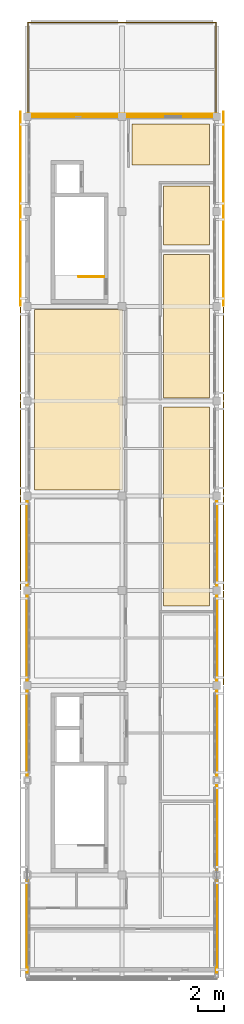
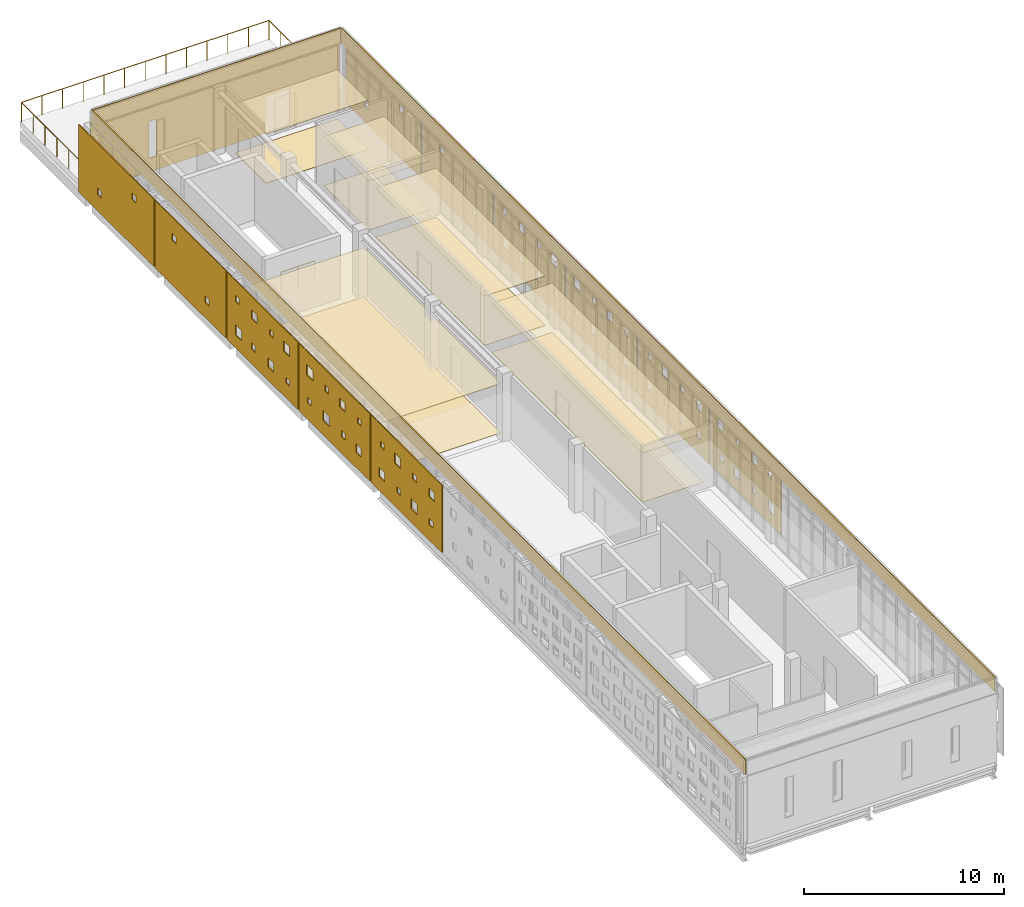
# One storey, part 19 of 19: 25 coverings, 2 railings.
"""IFC4 building model written with IfcOpenShell, lengths in metres."""

from ifc_helpers import new_model, si_unit, direction, frame, origin, origin_2d, place, context, subcontext, project, spatial, polyline, circle, outline, extrude, material, layer, layer_set, type_object, element, save


model = new_model("IFC4")

# Units and contexts
model_context = context("Model", 3, precision=1e-05, world=origin(), true_north=direction((0.0, 1.0)))
body_context = subcontext(model_context, "Body", "Model", "MODEL_VIEW")
ifc_project = project(units=[si_unit("LENGTHUNIT", "METRE"), si_unit("AREAUNIT", "SQUARE_METRE"), si_unit("VOLUMEUNIT", "CUBIC_METRE"), si_unit("PLANEANGLEUNIT", "RADIAN"), si_unit("MASSUNIT", "GRAM", prefix="KILO")], contexts=[model_context])

# Site, building, storey
site_placement = place(None, origin())
site = spatial("IfcSite", under=ifc_project, at=site_placement, CompositionType="ELEMENT")
building_placement = place(site_placement, origin())
building = spatial("IfcBuilding", under=site, at=building_placement, Name="Valkovuoma Quantum and Materials Research Institute", CompositionType="ELEMENT")
storey_placement = place(building_placement, frame((0.0, 0.0, 38.080078125)))
storey = spatial("IfcBuildingStorey", under=building, at=storey_placement, Name="L09", CompositionType="ELEMENT", Elevation=38.080078125)

# Coverings
ifc_material_1 = material(Name="Cleanable acoustic mineral-fibre suspended ceiling", Category="masonry")
ifc_layer_1 = layer(ifc_material_1, 0.02490234375)
ifc_layer_set_1 = layer_set([ifc_layer_1], Name="Cleanable acoustic mineral-fibre suspended ceiling")
covering_type_1 = type_object("IfcCoveringType", Name="Cov-CEIL-01", PredefinedType="CEILING", material=ifc_layer_set_1)
covering_1_placement = place(storey_placement, frame((0.0, 0.0, 3.0)))
element("IfcCovering", 1, at=covering_1_placement, inside=storey, type_object=covering_type_1, Name="L09 acoustic ceiling 0166", PredefinedType="CEILING", context=body_context, shape_type="SweptSolid", body=[
    extrude(outline(polyline([(0.550048828125, 58.050048828125), (7.25, 58.050048828125), (7.25, 71.75), (0.550048828125, 71.75), (0.550048828125, 58.050048828125)])), origin(), (0.0, 0.0, 1.0), 0.02490234375),
])
covering_2_placement = place(storey_placement, frame((0.0, 0.0, 3.0)))
element("IfcCovering", 2, at=covering_2_placement, inside=storey, type_object=covering_type_1, Name="L09 acoustic ceiling 0167", PredefinedType="CEILING", context=body_context, shape_type="SweptSolid", body=[
    extrude(outline(polyline([(7.949951171875, 82.75), (13.85009765625, 82.75), (13.85009765625, 85.85009765625), (7.949951171875, 85.85009765625), (7.949951171875, 82.75)])), origin(), (0.0, 0.0, 1.0), 0.02490234375),
])
covering_3_placement = place(storey_placement, frame((0.0, 0.0, 3.0)))
element("IfcCovering", 3, at=covering_3_placement, inside=storey, type_object=covering_type_1, Name="L09 acoustic ceiling 0170", PredefinedType="CEILING", context=body_context, shape_type="SweptSolid", body=[
    extrude(outline(polyline([(10.35009765625, 49.25), (13.85009765625, 49.25), (13.85009765625, 64.35009765625), (10.35009765625, 64.35009765625), (10.35009765625, 49.25)])), origin(), (0.0, 0.0, 1.0), 0.02490234375),
])
covering_4_placement = place(storey_placement, frame((0.0, 0.0, 3.0)))
element("IfcCovering", 4, at=covering_4_placement, inside=storey, type_object=covering_type_1, Name="L09 acoustic ceiling 0171", PredefinedType="CEILING", context=body_context, shape_type="SweptSolid", body=[
    extrude(outline(polyline([(10.35009765625, 65.050048828125), (13.85009765625, 65.050048828125), (13.85009765625, 75.949951171875), (10.35009765625, 75.949951171875), (10.35009765625, 65.050048828125)])), origin(), (0.0, 0.0, 1.0), 0.02490234375),
])
covering_5_placement = place(storey_placement, frame((0.0, 0.0, 3.0)))
element("IfcCovering", 5, at=covering_5_placement, inside=storey, type_object=covering_type_1, Name="L09 acoustic ceiling 0172", PredefinedType="CEILING", context=body_context, shape_type="SweptSolid", body=[
    extrude(outline(polyline([(10.35009765625, 76.64990234375), (13.85009765625, 76.64990234375), (13.85009765625, 81.14990234375), (10.35009765625, 81.14990234375), (10.35009765625, 76.64990234375)])), origin(), (0.0, 0.0, 1.0), 0.02490234375),
])
ifc_material_2 = material(Name="Seamless dissipative laboratory resin flooring", Category="masonry")
ifc_layer_2 = layer(ifc_material_2, 0.014892578125)
ifc_layer_set_2 = layer_set([ifc_layer_2], Name="Seamless dissipative laboratory resin flooring")
covering_type_2 = type_object("IfcCoveringType", Name="Cov-FLOR-01", PredefinedType="FLOORING", material=ifc_layer_set_2)
covering_6_placement = place(storey_placement, origin())
element("IfcCovering", 6, at=covering_6_placement, inside=storey, type_object=covering_type_2, Name="L09 resin flooring 0166", PredefinedType="FLOORING", context=body_context, shape_type="SweptSolid", body=[
    extrude(outline(polyline([(0.550048828125, 58.050048828125), (7.25, 58.050048828125), (7.25, 71.75), (0.550048828125, 71.75), (0.550048828125, 58.050048828125)])), origin(), (0.0, 0.0, 1.0), 0.014892578125),
])
covering_7_placement = place(storey_placement, origin())
element("IfcCovering", 7, at=covering_7_placement, inside=storey, type_object=covering_type_2, Name="L09 resin flooring 0167", PredefinedType="FLOORING", context=body_context, shape_type="SweptSolid", body=[
    extrude(outline(polyline([(7.949951171875, 82.75), (13.85009765625, 82.75), (13.85009765625, 85.85009765625), (7.949951171875, 85.85009765625), (7.949951171875, 82.75)])), origin(), (0.0, 0.0, 1.0), 0.014892578125),
])
covering_8_placement = place(storey_placement, origin())
element("IfcCovering", 8, at=covering_8_placement, inside=storey, type_object=covering_type_2, Name="L09 resin flooring 0170", PredefinedType="FLOORING", context=body_context, shape_type="SweptSolid", body=[
    extrude(outline(polyline([(10.35009765625, 49.25), (13.85009765625, 49.25), (13.85009765625, 64.35009765625), (10.35009765625, 64.35009765625), (10.35009765625, 49.25)])), origin(), (0.0, 0.0, 1.0), 0.014892578125),
])
covering_9_placement = place(storey_placement, origin())
element("IfcCovering", 9, at=covering_9_placement, inside=storey, type_object=covering_type_2, Name="L09 resin flooring 0171", PredefinedType="FLOORING", context=body_context, shape_type="SweptSolid", body=[
    extrude(outline(polyline([(10.35009765625, 65.050048828125), (13.85009765625, 65.050048828125), (13.85009765625, 75.949951171875), (10.35009765625, 75.949951171875), (10.35009765625, 65.050048828125)])), origin(), (0.0, 0.0, 1.0), 0.014892578125),
])
covering_10_placement = place(storey_placement, origin())
element("IfcCovering", 10, at=covering_10_placement, inside=storey, type_object=covering_type_2, Name="L09 resin flooring 0172", PredefinedType="FLOORING", context=body_context, shape_type="SweptSolid", body=[
    extrude(outline(polyline([(10.35009765625, 76.64990234375), (13.85009765625, 76.64990234375), (13.85009765625, 81.14990234375), (10.35009765625, 81.14990234375), (10.35009765625, 76.64990234375)])), origin(), (0.0, 0.0, 1.0), 0.014892578125),
])
ifc_material_3 = material(Name="White powder-coated aluminium architectural panel", Category="aluminium")
ifc_layer_3 = layer(ifc_material_3, 0.054931640625)
ifc_layer_set_3 = layer_set([ifc_layer_3], Name="White powder-coated aluminium architectural panel")
covering_type_3 = type_object("IfcCoveringType", Name="Cov-PERF-MID", PredefinedType="CLADDING", material=ifc_layer_set_3)
covering_11_placement = place(storey_placement, frame((14.919921875, 43.260009765625, 0.02001953125), z_axis=(0.0, 0.0, 1.0), x_axis=(0.0, 1.0, 0.0)))
element("IfcCovering", 11, at=covering_11_placement, inside=storey, type_object=covering_type_3, Name="L09 graduated perforated white screen E-0143", PredefinedType="CLADDING", context=body_context, shape_type="SweptSolid", body=[
    extrude(outline(polyline([(0.0, 0.0), (7.080078125, 0.0), (7.080078125, 4.119873046875), (0.0, 4.119873046875), (0.0, 0.0)]), holes=[polyline([(0.702392578125, 0.780029296875), (0.702392578125, 1.39990234375), (1.322509765625, 1.39990234375), (1.322509765625, 0.780029296875), (0.702392578125, 0.780029296875)]), polyline([(0.9423828125, 2.840087890625), (0.9423828125, 3.219970703125), (1.322509765625, 3.219970703125), (1.322509765625, 2.840087890625), (0.9423828125, 2.840087890625)]), polyline([(2.547607421875, 0.919921875), (2.547607421875, 1.260009765625), (2.887451171875, 1.260009765625), (2.887451171875, 0.919921875), (2.547607421875, 0.919921875)]), polyline([(2.347412109375, 2.719970703125), (2.347412109375, 3.340087890625), (2.967529296875, 3.340087890625), (2.967529296875, 2.719970703125), (2.347412109375, 2.719970703125)]), polyline([(4.152587890625, 0.820068359375), (4.152587890625, 1.360107421875), (4.6923828125, 1.360107421875), (4.6923828125, 0.820068359375), (4.152587890625, 0.820068359375)]), polyline([(4.1923828125, 2.860107421875), (4.1923828125, 3.199951171875), (4.532470703125, 3.199951171875), (4.532470703125, 2.860107421875), (4.1923828125, 2.860107421875)]), polyline([(5.757568359375, 0.89990234375), (5.757568359375, 1.280029296875), (6.137451171875, 1.280029296875), (6.137451171875, 0.89990234375), (5.757568359375, 0.89990234375)]), polyline([(5.797607421875, 2.760009765625), (5.797607421875, 3.300048828125), (6.33740234375, 3.300048828125), (6.33740234375, 2.760009765625), (5.797607421875, 2.760009765625)])]), frame((0.0, 0.02734375, 0.0), z_axis=(0.0, -1.0, 0.0), x_axis=(1.0, 0.0, 0.0)), (0.0, 0.0, 1.0), 0.054931640625),
])
for number, where, z_axis, x_axis, name in (
    (12, (-0.52001953125, 50.4599609375, 0.02001953125), (0.0, 0.0, 1.0), (0.0, 1.0, 0.0), "L09 graduated perforated white screen W-0144"),
    (13, (14.919921875, 50.4599609375, 0.02001953125), (0.0, 0.0, 1.0), (0.0, 1.0, 0.0), "L09 graduated perforated white screen E-0145"),
):
    element("IfcCovering", number, at=place(storey_placement, frame(where, z_axis=z_axis, x_axis=x_axis)), inside=storey, type_object=covering_type_3, Name=name, PredefinedType="CLADDING", context=body_context, shape_type="SweptSolid", body=[
        extrude(outline(polyline([(0.0, 0.0), (7.080078125, 0.0), (7.080078125, 4.119873046875), (0.0, 4.119873046875), (0.0, 0.0)]), holes=[polyline([(0.882568359375, 0.949951171875), (0.882568359375, 1.330078125), (1.262451171875, 1.330078125), (1.262451171875, 0.949951171875), (0.882568359375, 0.949951171875)]), polyline([(0.742431640625, 2.659912109375), (0.742431640625, 3.199951171875), (1.282470703125, 3.199951171875), (1.282470703125, 2.659912109375), (0.742431640625, 2.659912109375)]), polyline([(2.467529296875, 0.830078125), (2.467529296875, 1.449951171875), (3.08740234375, 1.449951171875), (3.08740234375, 0.830078125), (2.467529296875, 0.830078125)]), polyline([(2.527587890625, 2.739990234375), (2.527587890625, 3.1201171875), (2.907470703125, 3.1201171875), (2.907470703125, 2.739990234375), (2.527587890625, 2.739990234375)]), polyline([(4.132568359375, 0.969970703125), (4.132568359375, 1.31005859375), (4.472412109375, 1.31005859375), (4.472412109375, 0.969970703125), (4.132568359375, 0.969970703125)]), polyline([(4.112548828125, 2.6201171875), (4.112548828125, 3.239990234375), (4.732421875, 3.239990234375), (4.732421875, 2.6201171875), (4.112548828125, 2.6201171875)]), polyline([(5.737548828125, 0.8701171875), (5.737548828125, 1.409912109375), (6.277587890625, 1.409912109375), (6.277587890625, 0.8701171875), (5.737548828125, 0.8701171875)]), polyline([(5.777587890625, 2.760009765625), (5.777587890625, 3.10009765625), (6.117431640625, 3.10009765625), (6.117431640625, 2.760009765625), (5.777587890625, 2.760009765625)])]), frame((0.0, 0.02734375, 0.0), z_axis=(0.0, -1.0, 0.0), x_axis=(1.0, 0.0, 0.0)), (0.0, 0.0, 1.0), 0.054931640625),
    ])
for number, where, z_axis, x_axis, name in (
    (14, (-0.52001953125, 57.659912109375, 0.02001953125), (0.0, 0.0, 1.0), (0.0, 1.0, 0.0), "L09 graduated perforated white screen W-0146"),
    (15, (14.919921875, 57.659912109375, 0.02001953125), (0.0, 0.0, 1.0), (0.0, 1.0, 0.0), "L09 graduated perforated white screen E-0147"),
):
    element("IfcCovering", number, at=place(storey_placement, frame(where, z_axis=z_axis, x_axis=x_axis)), inside=storey, type_object=covering_type_3, Name=name, PredefinedType="CLADDING", context=body_context, shape_type="SweptSolid", body=[
        extrude(outline(polyline([(0.0, 0.0), (7.080078125, 0.0), (7.080078125, 4.119873046875), (0.0, 4.119873046875), (0.0, 0.0)]), holes=[polyline([(0.862548828125, 0.919921875), (0.862548828125, 1.4599609375), (1.402587890625, 1.4599609375), (1.402587890625, 0.919921875), (0.862548828125, 0.919921875)]), polyline([(0.902587890625, 2.81005859375), (0.902587890625, 3.14990234375), (1.242431640625, 3.14990234375), (1.242431640625, 2.81005859375), (0.902587890625, 2.81005859375)]), polyline([(2.467529296875, 1.0), (2.467529296875, 1.3798828125), (2.847412109375, 1.3798828125), (2.847412109375, 1.0), (2.467529296875, 1.0)]), polyline([(2.507568359375, 2.7099609375), (2.507568359375, 3.25), (3.047607421875, 3.25), (3.047607421875, 2.7099609375), (2.507568359375, 2.7099609375)]), polyline([(4.052490234375, 0.8798828125), (4.052490234375, 1.5), (4.672607421875, 1.5), (4.672607421875, 0.8798828125), (4.052490234375, 0.8798828125)]), polyline([(4.112548828125, 2.7900390625), (4.112548828125, 3.169921875), (4.492431640625, 3.169921875), (4.492431640625, 2.7900390625), (4.112548828125, 2.7900390625)]), polyline([(5.8974609375, 1.02001953125), (5.8974609375, 1.360107421875), (6.237548828125, 1.360107421875), (6.237548828125, 1.02001953125), (5.8974609375, 1.02001953125)]), polyline([(5.697509765625, 2.669921875), (5.697509765625, 3.2900390625), (6.3173828125, 3.2900390625), (6.3173828125, 2.669921875), (5.697509765625, 2.669921875)])]), frame((0.0, 0.02734375, 0.0), z_axis=(0.0, -1.0, 0.0), x_axis=(1.0, 0.0, 0.0)), (0.0, 0.0, 1.0), 0.054931640625),
    ])
for number, where, z_axis, x_axis, name in (
    (16, (-0.52001953125, 64.860107421875, 0.02001953125), (0.0, 0.0, 1.0), (0.0, 1.0, 0.0), "L09 graduated perforated white screen W-0148"),
    (17, (14.919921875, 64.860107421875, 0.02001953125), (0.0, 0.0, 1.0), (0.0, 1.0, 0.0), "L09 graduated perforated white screen E-0149"),
):
    element("IfcCovering", number, at=place(storey_placement, frame(where, z_axis=z_axis, x_axis=x_axis)), inside=storey, type_object=covering_type_3, Name=name, PredefinedType="CLADDING", context=body_context, shape_type="SweptSolid", body=[
        extrude(outline(polyline([(0.0, 0.0), (7.079833984375, 0.0), (7.079833984375, 4.119873046875), (0.0, 4.119873046875), (0.0, 0.0)]), holes=[polyline([(0.842529296875, 0.919921875), (0.842529296875, 1.260009765625), (1.1826171875, 1.260009765625), (1.1826171875, 0.919921875), (0.842529296875, 0.919921875)]), polyline([(0.822509765625, 2.719970703125), (0.822509765625, 3.340087890625), (1.4423828125, 3.340087890625), (1.4423828125, 2.719970703125), (0.822509765625, 2.719970703125)]), polyline([(2.447509765625, 0.820068359375), (2.447509765625, 1.360107421875), (2.987548828125, 1.360107421875), (2.987548828125, 0.820068359375), (2.447509765625, 0.820068359375)]), polyline([(2.487548828125, 2.860107421875), (2.487548828125, 3.199951171875), (2.827392578125, 3.199951171875), (2.827392578125, 2.860107421875), (2.487548828125, 2.860107421875)]), polyline([(4.232421875, 0.89990234375), (4.232421875, 1.280029296875), (4.612548828125, 1.280029296875), (4.612548828125, 0.89990234375), (4.232421875, 0.89990234375)]), polyline([(4.092529296875, 2.760009765625), (4.092529296875, 3.300048828125), (4.632568359375, 3.300048828125), (4.632568359375, 2.760009765625), (4.092529296875, 2.760009765625)]), polyline([(5.637451171875, 0.780029296875), (5.637451171875, 1.39990234375), (6.257568359375, 1.39990234375), (6.257568359375, 0.780029296875), (5.637451171875, 0.780029296875)]), polyline([(5.87744140625, 2.840087890625), (5.87744140625, 3.219970703125), (6.257568359375, 3.219970703125), (6.257568359375, 2.840087890625), (5.87744140625, 2.840087890625)])]), frame((0.0, 0.02734375, 0.0), z_axis=(0.0, -1.0, 0.0), x_axis=(1.0, 0.0, 0.0)), (0.0, 0.0, 1.0), 0.054931640625),
    ])
ifc_material_4 = material(Name="White powder-coated aluminium architectural panel", Category="aluminium")
ifc_layer_4 = layer(ifc_material_4, 0.054931640625)
ifc_layer_set_4 = layer_set([ifc_layer_4], Name="White powder-coated aluminium architectural panel")
covering_type_4 = type_object("IfcCoveringType", Name="Cov-PERF-SPARSE", PredefinedType="CLADDING", material=ifc_layer_set_4)
for number, where, z_axis, x_axis, name in (
    (18, (-0.52001953125, 72.06005859375, 0.02001953125), (0.0, 0.0, 1.0), (0.0, 1.0, 0.0), "L09 graduated perforated white screen W-0150"),
    (19, (14.919921875, 72.06005859375, 0.02001953125), (0.0, 0.0, 1.0), (0.0, 1.0, 0.0), "L09 graduated perforated white screen E-0151"),
):
    element("IfcCovering", number, at=place(storey_placement, frame(where, z_axis=z_axis, x_axis=x_axis)), inside=storey, type_object=covering_type_4, Name=name, PredefinedType="CLADDING", context=body_context, shape_type="SweptSolid", body=[
        extrude(outline(polyline([(0.0, 0.0), (7.079833984375, 0.0), (7.079833984375, 4.119873046875), (0.0, 4.119873046875), (0.0, 0.0)]), holes=[polyline([(1.695068359375, 0.93994140625), (1.695068359375, 1.340087890625), (2.094970703125, 1.340087890625), (2.094970703125, 0.93994140625), (1.695068359375, 0.93994140625)]), polyline([(4.985107421875, 2.72998046875), (4.985107421875, 3.1298828125), (5.385009765625, 3.1298828125), (5.385009765625, 2.72998046875), (4.985107421875, 2.72998046875)])]), frame((0.0, 0.02734375, 0.0), z_axis=(0.0, -1.0, 0.0), x_axis=(1.0, 0.0, 0.0)), (0.0, 0.0, 1.0), 0.054931640625),
    ])
for number, where, z_axis, x_axis, name in (
    (20, (-0.52001953125, 79.260009765625, 0.02001953125), (0.0, 0.0, 1.0), (0.0, 1.0, 0.0), "L09 graduated perforated white screen W-0152"),
    (21, (14.919921875, 79.260009765625, 0.02001953125), (0.0, 0.0, 1.0), (0.0, 1.0, 0.0), "L09 graduated perforated white screen E-0153"),
):
    element("IfcCovering", number, at=place(storey_placement, frame(where, z_axis=z_axis, x_axis=x_axis)), inside=storey, type_object=covering_type_4, Name=name, PredefinedType="CLADDING", context=body_context, shape_type="SweptSolid", body=[
        extrude(outline(polyline([(0.0, 0.0), (7.52001953125, 0.0), (7.52001953125, 4.119873046875), (0.0, 4.119873046875), (0.0, 0.0)]), holes=[polyline([(1.804931640625, 2.780029296875), (1.804931640625, 3.179931640625), (2.205078125, 3.179931640625), (2.205078125, 2.780029296875), (1.804931640625, 2.780029296875)]), polyline([(5.2548828125, 0.989990234375), (5.2548828125, 1.389892578125), (5.655029296875, 1.389892578125), (5.655029296875, 0.989990234375), (5.2548828125, 0.989990234375)])]), frame((0.0, 0.02734375, 0.0), z_axis=(0.0, -1.0, 0.0), x_axis=(1.0, 0.0, 0.0)), (0.0, 0.0, 1.0), 0.054931640625),
    ])
ifc_material_5 = material(Name="White powder-coated aluminium architectural panel", Category="aluminium")
ifc_layer_5 = layer(ifc_material_5, 0.054931640625)
ifc_layer_set_5 = layer_set([ifc_layer_5], Name="White powder-coated aluminium architectural panel")
covering_type_5 = type_object("IfcCoveringType", Name="Cov-WHITE-01", PredefinedType="CLADDING", material=ifc_layer_set_5)
covering_12_placement = place(storey_placement, frame((0.0, 86.58740234375, 0.0), z_axis=(0.0, 0.0, 1.0), x_axis=(1.0, 0.0, 0.0)))
element("IfcCovering", 22, at=covering_12_placement, inside=storey, type_object=covering_type_5, Name="L09 north white slot-window end skin", PredefinedType="CLADDING", context=body_context, shape_type="SweptSolid", body=[
    extrude(outline(polyline([(0.0, 0.0), (14.39990234375, 0.0), (14.39990234375, 4.159912109375), (0.0, 4.159912109375), (0.0, 0.0)]), holes=[polyline([(3.3798828125, 0.830078125), (3.3798828125, 3.070068359375), (3.820068359375, 3.070068359375), (3.820068359375, 0.830078125), (3.3798828125, 0.830078125)]), polyline([(10.10009765625, 0.050048828125), (10.10009765625, 2.25), (11.5, 2.25), (11.5, 0.050048828125), (10.10009765625, 0.050048828125)])]), frame((0.0, 0.02734375, 0.0), z_axis=(0.0, -1.0, 0.0), x_axis=(1.0, 0.0, 0.0)), (0.0, 0.0, 1.0), 0.054931640625),
])
covering_13_placement = place(storey_placement, frame((0.0, 86.39990234375, 4.159912109375), z_axis=(0.0, 0.0, 1.0), x_axis=(1.0, 0.0, 0.0)))
element("IfcCovering", 23, at=covering_13_placement, inside=storey, type_object=covering_type_5, Name="L09 white parapet coping N", PredefinedType="CLADDING", context=body_context, shape_type="SweptSolid", body=[
    extrude(outline(polyline([(0.0, 0.0), (14.39990234375, 0.0), (14.39990234375, 0.89990234375), (0.0, 0.89990234375), (0.0, 0.0)])), frame((0.0, 0.02734375, 0.0), z_axis=(0.0, -1.0, 0.0), x_axis=(1.0, 0.0, 0.0)), (0.0, 0.0, 1.0), 0.054931640625),
])
for number, where, z_axis, x_axis, name in (
    (24, (0.0, 21.0, 4.159912109375), (0.0, 0.0, 1.0), (0.0, 1.0, 0.0), "L09 white parapet coping W"),
    (25, (14.39990234375, 21.0, 4.159912109375), (0.0, 0.0, 1.0), (0.0, 1.0, 0.0), "L09 white parapet coping E"),
):
    element("IfcCovering", number, at=place(storey_placement, frame(where, z_axis=z_axis, x_axis=x_axis)), inside=storey, type_object=covering_type_5, Name=name, PredefinedType="CLADDING", context=body_context, shape_type="SweptSolid", body=[
        extrude(outline(polyline([(0.0, 0.0), (65.39990234375, 0.0), (65.39990234375, 0.89990234375), (0.0, 0.89990234375), (0.0, 0.0)])), frame((0.0, 0.02734375, 0.0), z_axis=(0.0, -1.0, 0.0), x_axis=(1.0, 0.0, 0.0)), (0.0, 0.0, 1.0), 0.054931640625),
    ])

# Railings
ifc_material_6 = material(Name="Hot-dip galvanised and powder-coated steel guardrail", Category="steel")
railing_type_1 = type_object("IfcRailingType", Name="Rail-GRD-EXT", PredefinedType="BALUSTRADE", material=ifc_material_6)
railing_1_placement = place(storey_placement, frame((0.050048828125, 86.449951171875, 0.0)))
element("IfcRailing", 26, at=railing_1_placement, inside=storey, type_object=railing_type_1, Name="L09 perimeter balustrade 04", PredefinedType="BALUSTRADE", context=body_context, shape_type="SweptSolid", body=[
    extrude(circle(Radius=0.02392578125, at=origin_2d()), frame((0.0, 0.0, 1.17578125), z_axis=(0.0, 1.0, 0.0), x_axis=(-1.0, 0.0, 0.0)), (0.0, 0.0, 1.0), 7.10009765625),
    extrude(circle(Radius=0.02392578125, at=origin_2d()), frame((0.0, 7.10009765625, 1.17578125), z_axis=(1.0, 0.0, 0.0), x_axis=(0.0, 1.0, 0.0)), (0.0, 0.0, 1.0), 14.300048828125),
    extrude(circle(Radius=0.02392578125, at=origin_2d()), frame((14.300048828125, 7.10009765625, 1.17578125), z_axis=(0.0, -1.0, 0.0), x_axis=(1.0, 0.0, 0.0)), (0.0, 0.0, 1.0), 7.10009765625),
    extrude(circle(Radius=0.02099609375, at=origin_2d()), origin(), (0.0, 0.0, 1.0), 1.15185546875),
    extrude(circle(Radius=0.02099609375, at=origin_2d()), frame((0.0, 1.183349609375, 0.0)), (0.0, 0.0, 1.0), 1.15185546875),
    extrude(circle(Radius=0.02099609375, at=origin_2d()), frame((0.0, 2.36669921875, 0.0)), (0.0, 0.0, 1.0), 1.15185546875),
    extrude(circle(Radius=0.02099609375, at=origin_2d()), frame((0.0, 3.550048828125, 0.0)), (0.0, 0.0, 1.0), 1.15185546875),
    extrude(circle(Radius=0.02099609375, at=origin_2d()), frame((0.0, 4.7333984375, 0.0)), (0.0, 0.0, 1.0), 1.15185546875),
    extrude(circle(Radius=0.02099609375, at=origin_2d()), frame((0.0, 5.916748046875, 0.0)), (0.0, 0.0, 1.0), 1.15185546875),
    extrude(circle(Radius=0.02099609375, at=origin_2d()), frame((0.0, 7.10009765625, 0.0)), (0.0, 0.0, 1.0), 1.15185546875),
    extrude(circle(Radius=0.02099609375, at=origin_2d()), frame((1.191650390625, 7.10009765625, 0.0)), (0.0, 0.0, 1.0), 1.15185546875),
    extrude(circle(Radius=0.02099609375, at=origin_2d()), frame((2.38330078125, 7.10009765625, 0.0)), (0.0, 0.0, 1.0), 1.15185546875),
    extrude(circle(Radius=0.02099609375, at=origin_2d()), frame((3.574951171875, 7.10009765625, 0.0)), (0.0, 0.0, 1.0), 1.15185546875),
    extrude(circle(Radius=0.02099609375, at=origin_2d()), frame((4.7666015625, 7.10009765625, 0.0)), (0.0, 0.0, 1.0), 1.15185546875),
    extrude(circle(Radius=0.02099609375, at=origin_2d()), frame((5.958251953125, 7.10009765625, 0.0)), (0.0, 0.0, 1.0), 1.15185546875),
    extrude(circle(Radius=0.02099609375, at=origin_2d()), frame((7.14990234375, 7.10009765625, 0.0)), (0.0, 0.0, 1.0), 1.15185546875),
    extrude(circle(Radius=0.02099609375, at=origin_2d()), frame((8.341796875, 7.10009765625, 0.0)), (0.0, 0.0, 1.0), 1.15185546875),
    extrude(circle(Radius=0.02099609375, at=origin_2d()), frame((9.533447265625, 7.10009765625, 0.0)), (0.0, 0.0, 1.0), 1.15185546875),
    extrude(circle(Radius=0.02099609375, at=origin_2d()), frame((10.72509765625, 7.10009765625, 0.0)), (0.0, 0.0, 1.0), 1.15185546875),
    extrude(circle(Radius=0.02099609375, at=origin_2d()), frame((11.916748046875, 7.10009765625, 0.0)), (0.0, 0.0, 1.0), 1.15185546875),
    extrude(circle(Radius=0.02099609375, at=origin_2d()), frame((13.1083984375, 7.10009765625, 0.0)), (0.0, 0.0, 1.0), 1.15185546875),
    extrude(circle(Radius=0.02099609375, at=origin_2d()), frame((14.300048828125, 7.10009765625, 0.0)), (0.0, 0.0, 1.0), 1.15185546875),
    extrude(circle(Radius=0.02099609375, at=origin_2d()), frame((14.300048828125, 5.916748046875, 0.0)), (0.0, 0.0, 1.0), 1.15185546875),
    extrude(circle(Radius=0.02099609375, at=origin_2d()), frame((14.300048828125, 4.7333984375, 0.0)), (0.0, 0.0, 1.0), 1.15185546875),
    extrude(circle(Radius=0.02099609375, at=origin_2d()), frame((14.300048828125, 3.550048828125, 0.0)), (0.0, 0.0, 1.0), 1.15185546875),
    extrude(circle(Radius=0.02099609375, at=origin_2d()), frame((14.300048828125, 2.36669921875, 0.0)), (0.0, 0.0, 1.0), 1.15185546875),
    extrude(circle(Radius=0.02099609375, at=origin_2d()), frame((14.300048828125, 1.183349609375, 0.0)), (0.0, 0.0, 1.0), 1.15185546875),
    extrude(circle(Radius=0.02099609375, at=origin_2d()), frame((14.300048828125, 0.0, 0.0)), (0.0, 0.0, 1.0), 1.15185546875),
])
ifc_material_7 = material(Name="Painted steel stair balustrade", Category="steel")
railing_type_2 = type_object("IfcRailingType", Name="Rail-GRD-ST", PredefinedType="BALUSTRADE", material=ifc_material_7)
railing_2_placement = place(storey_placement, frame((5.85009765625, 74.25, 0.0)))
element("IfcRailing", 27, at=railing_2_placement, inside=storey, type_object=railing_type_2, Name="L09 ST-2 top well guard 1", PredefinedType="BALUSTRADE", context=body_context, shape_type="SweptSolid", body=[
    extrude(circle(Radius=0.02392578125, at=origin_2d()), frame((0.0, 0.0, 1.17578125), z_axis=(-1.0, 0.0, 0.0), x_axis=(0.0, -1.0, 0.0)), (0.0, 0.0, 1.0), 1.9501953125),
    extrude(circle(Radius=0.02099609375, at=origin_2d()), origin(), (0.0, 0.0, 1.0), 1.15185546875),
    extrude(circle(Radius=0.02099609375, at=origin_2d()), frame((-0.97509765625, 0.0, 0.0)), (0.0, 0.0, 1.0), 1.15185546875),
    extrude(circle(Radius=0.02099609375, at=origin_2d()), frame((-1.9501953125, 0.0, 0.0)), (0.0, 0.0, 1.0), 1.15185546875),
])

save(model, "model.ifc")
